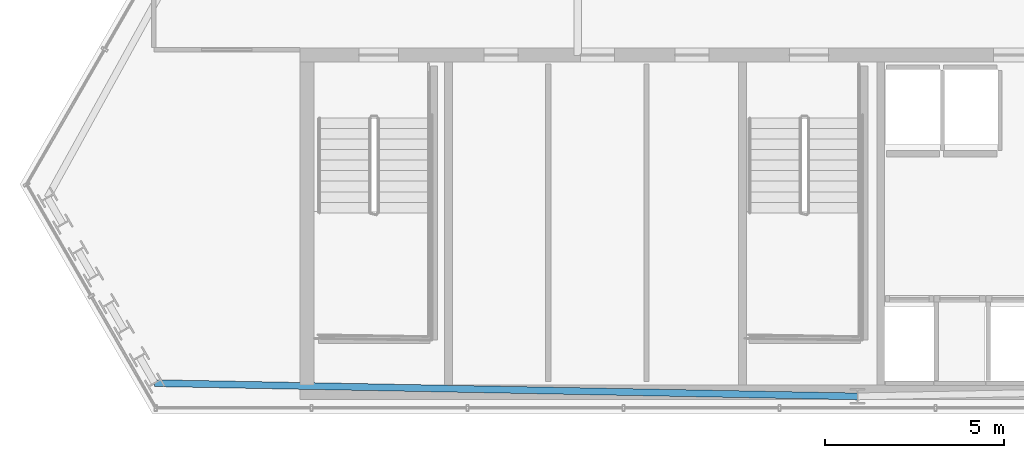
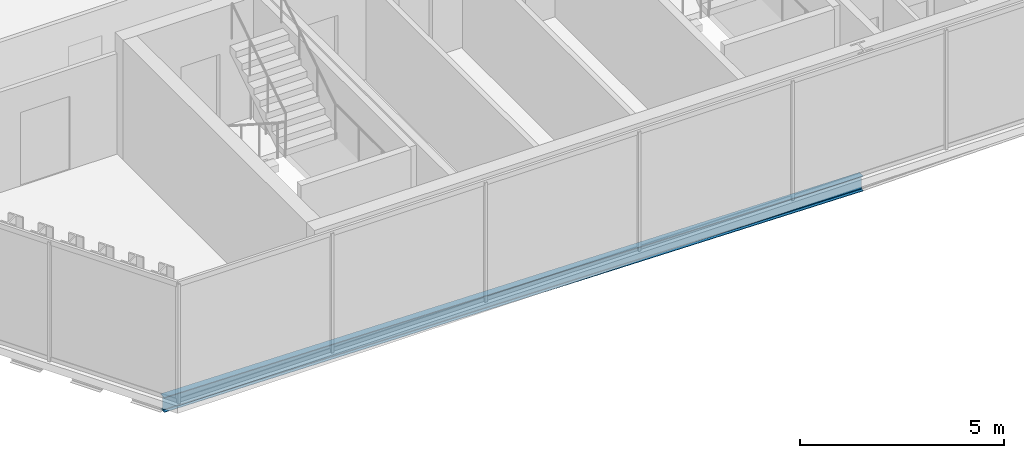
# One storey, part 3 of 29: 1 beam.
"""IFC4 building model written with IfcOpenShell, lengths in metres."""

from ifc_helpers import new_model, si_unit, direction, frame, origin, origin_2d, place, context, subcontext, project, spatial, i_section, extrude, material, material_profile, profile_set, type_object, element, save


model = new_model("IFC4")

# Units and contexts
model_context = context("Model", 3, precision=1e-05, world=origin(), true_north=direction((0.0, 1.0)))
body_context = subcontext(model_context, "Body", "Model", "MODEL_VIEW")
ifc_project = project(units=[si_unit("LENGTHUNIT", "METRE"), si_unit("AREAUNIT", "SQUARE_METRE"), si_unit("VOLUMEUNIT", "CUBIC_METRE"), si_unit("PLANEANGLEUNIT", "RADIAN"), si_unit("MASSUNIT", "GRAM", prefix="KILO")], contexts=[model_context])

# Site, building, storey
site_placement = place(None, origin())
site = spatial("IfcSite", under=ifc_project, at=site_placement, CompositionType="ELEMENT")
building_placement = place(site_placement, origin())
building = spatial("IfcBuilding", under=site, at=building_placement, Name="Ndaravel Arena Tower", CompositionType="ELEMENT")
storey_placement = place(building_placement, frame((0.0, 0.0, 233.199951171875)))
storey = spatial("IfcBuildingStorey", under=building, at=storey_placement, Name="L56", CompositionType="ELEMENT", Elevation=233.199951171875)

# Beam
ifc_material = material(Name="Steel S355", Category="steel")
ifc_material_profile = material_profile(ifc_material, i_section(OverallWidth=0.18994140625, OverallDepth=0.449951171875, WebThickness=0.009521484375, FlangeThickness=0.0146484375, FilletRadius=0.02099609375, at=origin_2d()), Name="IPE 450")
ifc_profile_set = profile_set([ifc_material_profile], Name="Steel S355")
beam_type = type_object("IfcBeamType", Name="BM-SPAN-IPE450", PredefinedType="SPANDREL", material=ifc_profile_set)
beam_placement = place(storey_placement, frame((22.402587890625, 5.849609375, -0.445068359375), z_axis=(0.999822176745, -0.018857754053, 0.0), x_axis=(0.018857754053, 0.999822176745, 0.0)))
element("IfcBeam", 1, at=beam_placement, inside=storey, type_object=beam_type, Name="L56 Perimeter Spandrel Beam SP-27", PredefinedType="SPANDREL", context=body_context, shape_type="SweptSolid", body=[
    extrude(i_section(OverallWidth=0.18994140625, OverallDepth=0.449951171875, WebThickness=0.009521484375, FlangeThickness=0.0146484375, FilletRadius=0.02099609375, at=origin_2d()), origin(), (0.0, 0.0, 1.0), 19.600830078125),
])

save(model, "model.ifc")
